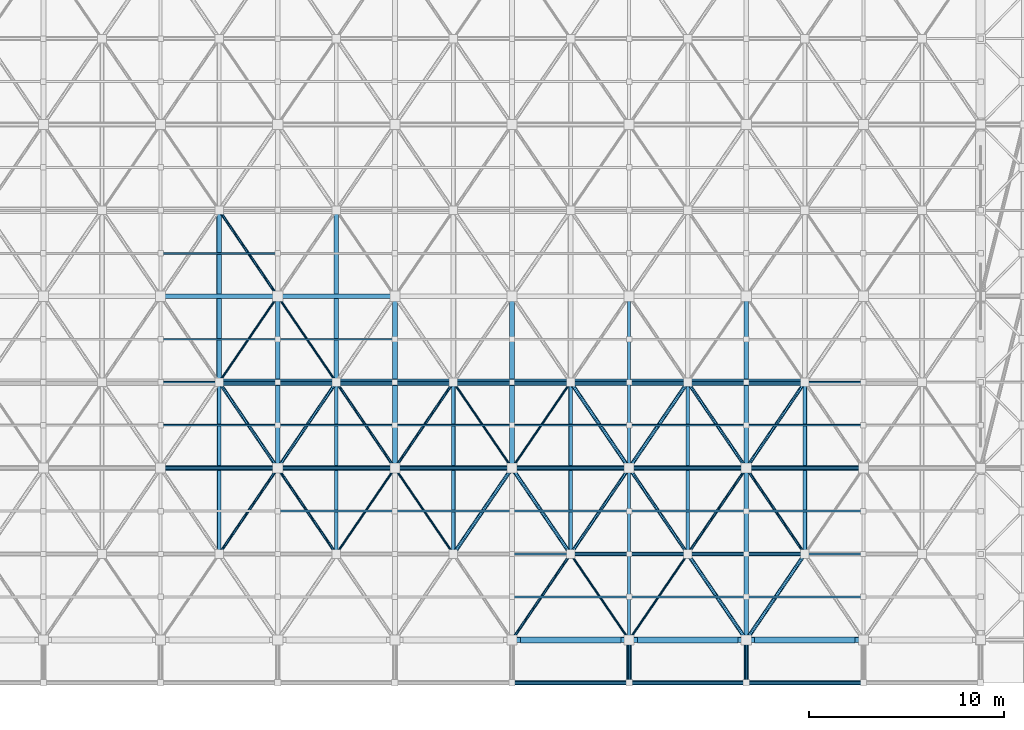
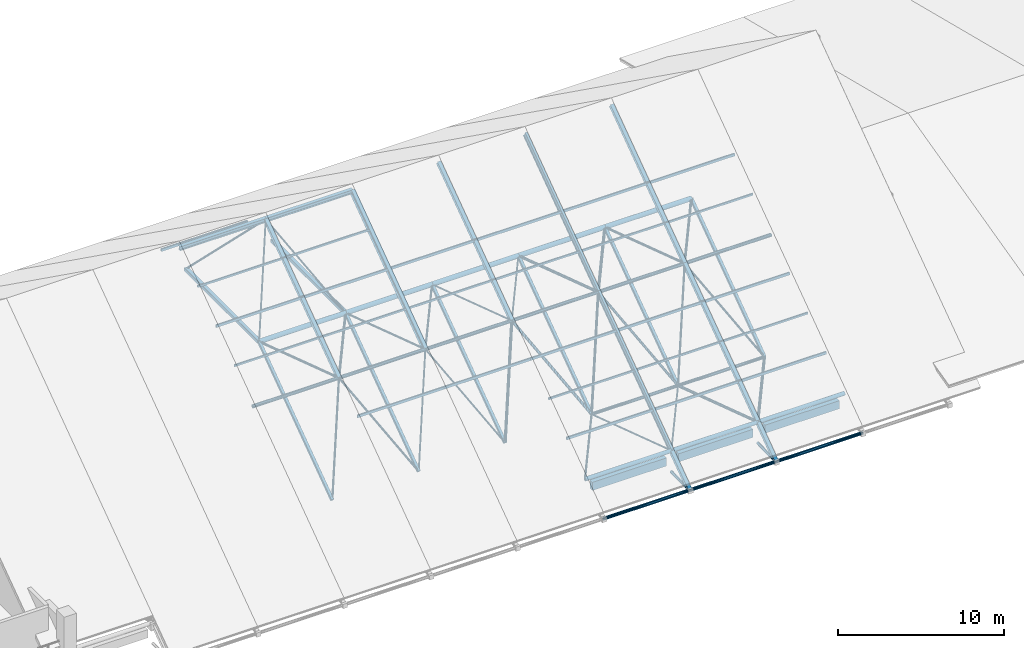
# One storey, part 21 of 55: 94 members, 3 beams.
"""IFC4 building model written with IfcOpenShell, lengths in metres."""

import ifcopenshell
import ifcopenshell.guid

model = None  # the IFC model being written
_history = None  # IfcOwnerHistory: only IFC2X3 demands one
_inside = {}  # id of a spatial element -> (the spatial element, [elements in it])
_under = {}  # id of a project, library or spatial element -> (it, [spatial elements below it])
_declared = {}  # id of a project -> (the project, [libraries it declares])
_typed = {}  # id of a type object -> (the type object, [elements of that type])
_made_of = {}  # id of a material, layer set ... -> (it, [elements and type objects made of it])


def new_model(schema):
    """Start an empty IFC model of exactly this schema.

    Asked for "IFC4X3", IfcOpenShell would pick the latest addendum, in which some entities
    have other attributes; the version numbers below select the first issue.
    IFC2X3 requires an IfcOwnerHistory on every rooted entity: one is made here for all.
    """
    global model, _history
    if schema == "IFC4X3":
        model = ifcopenshell.file(schema_version=(4, 3, 0, 0))
    else:
        model = ifcopenshell.file(schema=schema)
    _inside.clear()
    _under.clear()
    _declared.clear()
    _typed.clear()
    _made_of.clear()
    _history = None
    if model.schema == "IFC2X3":
        org = make("IfcOrganization", Name="unknown")
        user = make(
            "IfcPersonAndOrganization",
            ThePerson=make("IfcPerson", FamilyName="unknown"),
            TheOrganization=org,
        )
        app = make(
            "IfcApplication",
            ApplicationDeveloper=org,
            Version="unknown",
            ApplicationFullName="unknown",
            ApplicationIdentifier="unknown",
        )
        _history = make(
            "IfcOwnerHistory",
            OwningUser=user,
            OwningApplication=app,
            ChangeAction="ADDED",
            CreationDate=0,
        )
    return model


def make(cls, **values):
    """One entity of the class cls with the attributes given. An attribute that is None is left unset."""
    return model.create_entity(
        cls, **{name: value for name, value in values.items() if value is not None}
    )


def rooted(cls, **values):
    """An entity with a GlobalId (a new one), such as an element, a storey or a relation."""
    return make(cls, GlobalId=ifcopenshell.guid.new(), OwnerHistory=_history, **values)


def si_unit(unit_type, name, prefix=None):
    """IfcSIUnit, for example si_unit("LENGTHUNIT", "METRE", prefix="MILLI")."""
    return make("IfcSIUnit", UnitType=unit_type, Prefix=prefix, Name=name)


def assignment(units):
    """IfcUnitAssignment: the units of a project."""
    return None if units is None else make("IfcUnitAssignment", Units=units)


def point(xyz):
    """IfcCartesianPoint."""
    return None if xyz is None else make("IfcCartesianPoint", Coordinates=xyz)


def direction(xyz):
    """IfcDirection."""
    return None if xyz is None else make("IfcDirection", DirectionRatios=xyz)


def frame(location, z_axis=None, x_axis=None):
    """IfcAxis2Placement3D, a coordinate frame: its origin and axes. An axis left out is left unset."""
    return make(
        "IfcAxis2Placement3D",
        Location=point(location),
        Axis=direction(z_axis),
        RefDirection=direction(x_axis),
    )


def frame_2d(location, x_axis=None):
    """IfcAxis2Placement2D, a coordinate frame in the plane: its origin and x axis."""
    return make(
        "IfcAxis2Placement2D", Location=point(location), RefDirection=direction(x_axis)
    )


def origin():
    """The frame at (0, 0, 0) with its axes left unset."""
    return frame((0.0, 0.0, 0.0))


def origin_2d():
    """The frame at (0, 0) in the plane with its x axis left unset."""
    return frame_2d((0.0, 0.0))


def place(relative_to, where):
    """IfcLocalPlacement: puts the frame where relative to a parent placement (None: the world)."""
    return make(
        "IfcLocalPlacement", PlacementRelTo=relative_to, RelativePlacement=where
    )


def context(
    kind, dimensions, precision=None, world=None, true_north=None, identifier=None
):
    """IfcGeometricRepresentationContext, for example the 3D "Model" context."""
    return make(
        "IfcGeometricRepresentationContext",
        ContextIdentifier=identifier,
        ContextType=kind,
        CoordinateSpaceDimension=dimensions,
        Precision=precision,
        WorldCoordinateSystem=world,
        TrueNorth=true_north,
    )


def subcontext(parent, identifier, kind, view, scale=None):
    """IfcGeometricRepresentationSubContext, for example "Body" below "Model"."""
    return make(
        "IfcGeometricRepresentationSubContext",
        ContextIdentifier=identifier,
        ContextType=kind,
        ParentContext=parent,
        TargetScale=scale,
        TargetView=view,
    )


def project(units=None, contexts=None):
    """IfcProject with its units and contexts."""
    return rooted(
        "IfcProject",
        Name="project",
        RepresentationContexts=contexts,
        UnitsInContext=assignment(units),
    )


def spatial(cls, under=None, at=None, **own):
    """A site, building, storey or space (cls), placed at a placement, below another one or the project."""
    s = rooted(cls, ObjectPlacement=at, **own)
    if under is not None:
        _under.setdefault(under.id(), (under, []))[1].append(s)
    return s


def profile(cls, at=None, kind="AREA", **sizes):
    """A parametric profile (cls). Its sizes go by their IFC names, for example OverallWidth=200.0."""
    return make(cls, ProfileType=kind, Position=at, **sizes)


def rectangle(**sizes):
    """IfcRectangleProfileDef."""
    return profile("IfcRectangleProfileDef", **sizes)


def hollow_rectangle(**sizes):
    """IfcRectangleHollowProfileDef."""
    return profile("IfcRectangleHollowProfileDef", **sizes)


def hollow_circle(**sizes):
    """IfcCircleHollowProfileDef."""
    return profile("IfcCircleHollowProfileDef", **sizes)


def i_section(**sizes):
    """IfcIShapeProfileDef."""
    return profile("IfcIShapeProfileDef", **sizes)


def extrude(swept, where, along, depth):
    """IfcExtrudedAreaSolid: the profile swept, set in the frame where, extruded along a direction by depth."""
    return make(
        "IfcExtrudedAreaSolid",
        SweptArea=swept,
        Position=where,
        ExtrudedDirection=direction(along),
        Depth=depth,
    )


def shape(context_of_items, identifier, shape_type, items):
    """IfcShapeRepresentation: the items that make up one representation, for example the "Body"."""
    return make(
        "IfcShapeRepresentation",
        ContextOfItems=context_of_items,
        RepresentationIdentifier=identifier,
        RepresentationType=shape_type,
        Items=items,
    )


def material(Name=None, Category=None):
    """IfcMaterial."""
    return make("IfcMaterial", Name=Name, Category=Category)


def material_profile(
    of_material, cross_section, Name=None, Category=None, Priority=None
):
    """IfcMaterialProfile: a cross section and its material."""
    return make(
        "IfcMaterialProfile",
        Name=Name,
        Material=of_material,
        Profile=cross_section,
        Priority=Priority,
        Category=Category,
    )


def profile_set(profiles, Name=None, composite=None):
    """IfcMaterialProfileSet."""
    return make(
        "IfcMaterialProfileSet",
        Name=Name,
        MaterialProfiles=profiles,
        CompositeProfile=composite,
    )


def made_of(thing, what):
    """Note that an element or type object is made of a material, layer set ...; save() writes the relation."""
    if what is not None:
        _made_of.setdefault(what.id(), (what, []))[1].append(thing)
    return thing


def type_object(cls, material=None, **own):
    """A type object (cls), such as IfcWallType, which elements share."""
    return made_of(rooted(cls, **own), material)


def element(
    cls,
    number,
    at=None,
    inside=None,
    cuts=None,
    type_object=None,
    material=None,
    context=None,
    identifier="Body",
    shape_type=None,
    held_by="IfcProductDefinitionShape",
    body=None,
    shapes=None,
    **own,
):
    """One element of the class cls, such as IfcWall. Its Tag is "e" and its number.

    at: its placement. inside: the storey or other place that contains it. cuts: it is an
    opening in that element (IfcRelVoidsElement). A single representation is given by context,
    identifier, shape_type and body (its items); several are given by shapes. held_by: the class
    of the entity that holds the representations. save() writes the other relations.
    """
    e = rooted(cls, Tag="e%d" % number, ObjectPlacement=at, **own)
    if body is not None:
        shapes = [shape(context, identifier, shape_type, body)]
    if shapes is not None:
        e.Representation = make(held_by, Representations=shapes)
    if inside is not None:
        _inside.setdefault(inside.id(), (inside, []))[1].append(e)
    if cuts is not None:
        rooted(
            "IfcRelVoidsElement", RelatingBuildingElement=cuts, RelatedOpeningElement=e
        )
    if type_object is not None:
        _typed.setdefault(type_object.id(), (type_object, []))[1].append(e)
    return made_of(e, material)


def aggregate(whole, parts):
    """IfcRelAggregates: a whole, such as a stair, and the parts it consists of."""
    return rooted("IfcRelAggregates", RelatingObject=whole, RelatedObjects=parts)


def save(model, path):
    """Write the relations noted so far, then the file.

    IfcRelAggregates (storeys below a building ...), IfcRelContainedInSpatialStructure (elements
    in a storey), IfcRelDefinesByType, IfcRelAssociatesMaterial and IfcRelDeclares: one each for
    every whole, place, type object, material and project.
    """
    for whole, parts in _under.values():
        aggregate(whole, parts)
    for where, things in _inside.values():
        rooted(
            "IfcRelContainedInSpatialStructure",
            RelatedElements=things,
            RelatingStructure=where,
        )
    for kind, things in _typed.values():
        rooted("IfcRelDefinesByType", RelatedObjects=things, RelatingType=kind)
    for what, things in _made_of.values():
        rooted("IfcRelAssociatesMaterial", RelatedObjects=things, RelatingMaterial=what)
    for by, libraries in _declared.values():
        rooted("IfcRelDeclares", RelatingContext=by, RelatedDefinitions=libraries)
    model.write(path)


model = new_model("IFC4")

# Units and contexts
model_context = context("Model", 3, precision=1e-05, world=origin(), true_north=direction((0.0, 1.0)))
body_context = subcontext(model_context, "Body", "Model", "MODEL_VIEW")
ifc_project = project(units=[si_unit("LENGTHUNIT", "METRE"), si_unit("AREAUNIT", "SQUARE_METRE"), si_unit("VOLUMEUNIT", "CUBIC_METRE"), si_unit("PLANEANGLEUNIT", "RADIAN"), si_unit("MASSUNIT", "GRAM", prefix="KILO")], contexts=[model_context])

# Site, building, storey
site_placement = place(None, origin())
site = spatial("IfcSite", under=ifc_project, at=site_placement, CompositionType="ELEMENT")
building_placement = place(site_placement, origin())
building = spatial("IfcBuilding", under=site, at=building_placement, Name="Varnakota Cinema and Media Centre", CompositionType="ELEMENT")
storey_placement = place(building_placement, frame((0.0, 0.0, 15.60009765625)))
storey = spatial("IfcBuildingStorey", under=building, at=storey_placement, Name="L04", CompositionType="ELEMENT", Elevation=15.60009765625)

# Beams
ifc_material_1 = material(Name="Concrete M35", Category="concrete")
ifc_material_profile_1 = material_profile(ifc_material_1, rectangle(XDim=0.300048828125, YDim=0.60009765625, at=origin_2d()), Name="RCB 300x600")
ifc_profile_set_1 = profile_set([ifc_material_profile_1], Name="Concrete M35")
beam_type = type_object("IfcBeamType", Name="BM-SP-300x600", PredefinedType="SPANDREL", material=ifc_profile_set_1)
for number, where, z_axis, x_axis, name in (
    (1, (111.425048828125, 0.0, -0.300048828125), (1.0, 0.0, 0.0), (0.0, 1.0, 0.0), "L04 girder R-S/1"),
    (2, (117.425048828125, 0.0, -0.300048828125), (1.0, 0.0, 0.0), (0.0, 1.0, 0.0), "L04 girder S-T/1"),
    (3, (123.425048828125, 0.0, -0.300048828125), (1.0, 0.0, 0.0), (0.0, 1.0, 0.0), "L04 girder T-U/1"),
):
    element("IfcBeam", number, at=place(storey_placement, frame(where, z_axis=z_axis, x_axis=x_axis)), inside=storey, type_object=beam_type, Name=name, PredefinedType="SPANDREL", context=body_context, shape_type="SweptSolid", body=[
        extrude(rectangle(XDim=0.300048828125, YDim=0.60009765625, at=origin_2d()), origin(), (0.0, 0.0, 1.0), 5.14990234375),
    ])

# Members
ifc_material_2 = material(Name="Structural steel S355 (YSt 355)", Category="steel")
ifc_material_profile_2 = material_profile(ifc_material_2, hollow_circle(Radius=0.05712890625, WallThickness=0.00537109375, at=origin_2d()), Name="CHS 114.3x5.4")
ifc_profile_set_2 = profile_set([ifc_material_profile_2], Name="Structural steel S355 (YSt 355)")
member_type_1 = type_object("IfcMemberType", Name="MEM-ST-CHS114_3x5_4", PredefinedType="BRACE", material=ifc_profile_set_2)
for number, where, z_axis, x_axis, name in (
    (4, (96.0, 13.199951171875, 7.64990234375), (0.40116493033, 0.588394819283, 0.702038628078), (-0.826236071711, 0.563324022037, 0.0), "V1 space-frame diagonal 4.2.4"),
    (5, (102.0, 4.39990234375, 1.349853515625), (0.40116493033, 0.588394819283, 0.702038628078), (-0.826236071711, 0.563324022037, 0.0), "V1 space-frame diagonal 5.1.4"),
    (6, (102.0, 13.199951171875, 7.64990234375), (-0.40116493033, 0.588394819283, 0.702038628078), (-0.826236071711, -0.563324022037, 0.0), "V1 space-frame diagonal 5.2.3"),
    (7, (108.0, 4.39990234375, 1.349853515625), (-0.40116493033, 0.588394819283, 0.702038628078), (-0.826236071711, -0.563324022037, 0.0), "V1 space-frame diagonal 6.1.3"),
):
    element("IfcMember", number, at=place(storey_placement, frame(where, z_axis=z_axis, x_axis=x_axis)), inside=storey, type_object=member_type_1, Name=name, PredefinedType="BRACE", context=body_context, shape_type="SweptSolid", body=[
        extrude(hollow_circle(Radius=0.05712890625, WallThickness=0.00537109375, at=origin_2d()), origin(), (0.0, 0.0, 1.0), 7.478271484375),
    ])
for number, where, z_axis, x_axis, name in (
    (8, (108.0, 13.199951171875, 7.64990234375), (0.552703271274, -0.810613472892, -0.193455140767), (0.826221523208, 0.563345359959, 0.0), "V1 space-frame diagonal 6.2.2"),
    (9, (114.0, 4.39990234375, 1.349853515625), (0.552703271274, -0.810613472892, -0.193455140767), (0.826221523208, 0.563345359959, 0.0), "V1 space-frame diagonal 7.1.2"),
    (10, (114.0, 13.199951171875, 7.64990234375), (-0.552703271274, -0.810613472892, -0.193455140767), (0.826221523208, -0.563345359959, 0.0), "V1 space-frame diagonal 7.2.1"),
    (11, (120.0, 4.39990234375, 1.349853515625), (-0.552703271274, -0.810613472892, -0.193455140767), (0.826221523208, -0.563345359959, 0.0), "V1 space-frame diagonal 8.1.1"),
):
    element("IfcMember", number, at=place(storey_placement, frame(where, z_axis=z_axis, x_axis=x_axis)), inside=storey, type_object=member_type_1, Name=name, PredefinedType="BRACE", context=body_context, shape_type="SweptSolid", body=[
        extrude(hollow_circle(Radius=0.05712890625, WallThickness=0.00537109375, at=origin_2d()), origin(), (0.0, 0.0, 1.0), 5.427978515625),
    ])
ifc_material_3 = material(Name="Structural steel S355 (YSt 355)", Category="steel")
ifc_material_profile_3 = material_profile(ifc_material_3, hollow_circle(Radius=0.06982421875, WallThickness=0.006103515625, at=origin_2d()), Name="CHS 139.7x6.0")
ifc_profile_set_3 = profile_set([ifc_material_profile_3], Name="Structural steel S355 (YSt 355)")
member_type_2 = type_object("IfcMemberType", Name="MEM-ST-CHS139_7x6_0", PredefinedType="CHORD", material=ifc_profile_set_3)
member_1_placement = place(storey_placement, frame((96.0, 4.39990234375, 1.349853515625), z_axis=(0.40116493033, 0.588394819283, 0.702038628078), x_axis=(-0.826236071711, 0.563324022037, 0.0)))
element("IfcMember", 12, at=member_1_placement, inside=storey, type_object=member_type_2, Name="V1 space-frame diagonal 4.1.4", PredefinedType="CHORD", context=body_context, shape_type="SweptSolid", body=[
    extrude(hollow_circle(Radius=0.06982421875, WallThickness=0.006103515625, at=origin_2d()), origin(), (0.0, 0.0, 1.0), 7.478271484375),
])
member_2_placement = place(storey_placement, frame((96.0, 22.0, 7.64990234375), z_axis=(0.40117263642, -0.58837347441, 0.702052113734), x_axis=(0.826221523208, 0.563345359959, 0.0)))
element("IfcMember", 13, at=member_2_placement, inside=storey, type_object=member_type_2, Name="V1 space-frame diagonal 4.3.2", PredefinedType="CHORD", context=body_context, shape_type="SweptSolid", body=[
    extrude(hollow_circle(Radius=0.06982421875, WallThickness=0.006103515625, at=origin_2d()), origin(), (0.0, 0.0, 1.0), 7.47802734375),
])
member_3_placement = place(storey_placement, frame((102.0, 4.39990234375, 1.349853515625), z_axis=(-0.40116493033, 0.588394819283, 0.702038628078), x_axis=(-0.826236071711, -0.563324022037, 0.0)))
element("IfcMember", 14, at=member_3_placement, inside=storey, type_object=member_type_2, Name="V1 space-frame diagonal 5.1.3", PredefinedType="CHORD", context=body_context, shape_type="SweptSolid", body=[
    extrude(hollow_circle(Radius=0.06982421875, WallThickness=0.006103515625, at=origin_2d()), origin(), (0.0, 0.0, 1.0), 7.478271484375),
])
for number, where, z_axis, x_axis, name in (
    (15, (102.0, 13.199951171875, 7.64990234375), (0.552703271274, -0.810613472892, -0.193455140767), (0.826221523208, 0.563345359959, 0.0), "V1 space-frame diagonal 5.2.2"),
    (16, (108.0, 13.199951171875, 7.64990234375), (-0.552703271274, -0.810613472892, -0.193455140767), (0.826221523208, -0.563345359959, 0.0), "V1 space-frame diagonal 6.2.1"),
    (17, (114.0, 4.39990234375, 1.349853515625), (-0.552703271274, -0.810613472892, -0.193455140767), (0.826221523208, -0.563345359959, 0.0), "V1 space-frame diagonal 7.1.1"),
):
    element("IfcMember", number, at=place(storey_placement, frame(where, z_axis=z_axis, x_axis=x_axis)), inside=storey, type_object=member_type_2, Name=name, PredefinedType="CHORD", context=body_context, shape_type="SweptSolid", body=[
        extrude(hollow_circle(Radius=0.06982421875, WallThickness=0.006103515625, at=origin_2d()), origin(), (0.0, 0.0, 1.0), 5.427978515625),
    ])
for number, where, z_axis, x_axis, name in (
    (18, (120.0, 4.39990234375, 1.349853515625), (0.40116493033, 0.588394819283, 0.702038628078), (-0.826236071711, 0.563324022037, 0.0), "V1 space-frame diagonal 8.1.4"),
    (19, (126.0, 4.39990234375, 1.349853515625), (-0.40116493033, 0.588394819283, 0.702038628078), (-0.826236071711, -0.563324022037, 0.0), "V1 space-frame diagonal 9.1.3"),
):
    element("IfcMember", number, at=place(storey_placement, frame(where, z_axis=z_axis, x_axis=x_axis)), inside=storey, type_object=member_type_2, Name=name, PredefinedType="CHORD", context=body_context, shape_type="SweptSolid", body=[
        extrude(hollow_circle(Radius=0.06982421875, WallThickness=0.006103515625, at=origin_2d()), origin(), (0.0, 0.0, 1.0), 7.478271484375),
    ])
ifc_material_4 = material(Name="Structural steel S355 (YSt 355)", Category="steel")
ifc_material_profile_4 = material_profile(ifc_material_4, hollow_circle(Radius=0.084228515625, WallThickness=0.00634765625, at=origin_2d()), Name="CHS 168.3x6.3")
ifc_profile_set_4 = profile_set([ifc_material_profile_4], Name="Structural steel S355 (YSt 355)")
member_type_3 = type_object("IfcMemberType", Name="MEM-ST-CHS168_3x6_3", PredefinedType="BRACE", material=ifc_profile_set_4)
for number, where, z_axis, x_axis, name in (
    (20, (96.0, 13.199951171875, 7.64990234375), (0.552703271274, -0.810613472892, -0.193455140767), (0.826221523208, 0.563345359959, 0.0), "V1 space-frame diagonal 4.2.2"),
    (21, (102.0, 13.199951171875, 7.64990234375), (-0.552703271274, -0.810613472892, -0.193455140767), (0.826221523208, -0.563345359959, 0.0), "V1 space-frame diagonal 5.2.1"),
):
    element("IfcMember", number, at=place(storey_placement, frame(where, z_axis=z_axis, x_axis=x_axis)), inside=storey, type_object=member_type_3, Name=name, PredefinedType="BRACE", context=body_context, shape_type="SweptSolid", body=[
        extrude(hollow_circle(Radius=0.084228515625, WallThickness=0.00634765625, at=origin_2d()), origin(), (0.0, 0.0, 1.0), 5.427978515625),
    ])
for number, where, z_axis, x_axis, name in (
    (22, (114.0, 4.39990234375, 1.349853515625), (0.40116493033, 0.588394819283, 0.702038628078), (-0.826236071711, 0.563324022037, 0.0), "V1 space-frame diagonal 7.1.4"),
    (23, (120.0, 4.39990234375, 1.349853515625), (-0.40116493033, 0.588394819283, 0.702038628078), (-0.826236071711, -0.563324022037, 0.0), "V1 space-frame diagonal 8.1.3"),
):
    element("IfcMember", number, at=place(storey_placement, frame(where, z_axis=z_axis, x_axis=x_axis)), inside=storey, type_object=member_type_3, Name=name, PredefinedType="BRACE", context=body_context, shape_type="SweptSolid", body=[
        extrude(hollow_circle(Radius=0.084228515625, WallThickness=0.00634765625, at=origin_2d()), origin(), (0.0, 0.0, 1.0), 7.478271484375),
    ])
for number, where, z_axis, x_axis, name in (
    (24, (120.0, 13.199951171875, 7.64990234375), (0.552703271274, -0.810613472892, -0.193455140767), (0.826221523208, 0.563345359959, 0.0), "V1 space-frame diagonal 8.2.2"),
    (25, (126.0, 13.199951171875, 7.64990234375), (-0.552703271274, -0.810613472892, -0.193455140767), (0.826221523208, -0.563345359959, 0.0), "V1 space-frame diagonal 9.2.1"),
):
    element("IfcMember", number, at=place(storey_placement, frame(where, z_axis=z_axis, x_axis=x_axis)), inside=storey, type_object=member_type_3, Name=name, PredefinedType="BRACE", context=body_context, shape_type="SweptSolid", body=[
        extrude(hollow_circle(Radius=0.084228515625, WallThickness=0.00634765625, at=origin_2d()), origin(), (0.0, 0.0, 1.0), 5.427978515625),
    ])
ifc_material_5 = material(Name="Structural steel S355 (YSt 355)", Category="steel")
ifc_material_profile_5 = material_profile(ifc_material_5, hollow_circle(Radius=0.096923828125, WallThickness=0.00634765625, at=origin_2d()), Name="CHS 193.7x6.3")
ifc_profile_set_5 = profile_set([ifc_material_profile_5], Name="Structural steel S355 (YSt 355)")
member_type_4 = type_object("IfcMemberType", Name="MEM-ST-CHS193_7x6_3", PredefinedType="CHORD", material=ifc_profile_set_5)
for number, where, z_axis, x_axis, name in (
    (26, (108.0, 4.39990234375, 1.349853515625), (0.40116493033, 0.588394819283, 0.702038628078), (-0.826236071711, 0.563324022037, 0.0), "V1 space-frame diagonal 6.1.4"),
    (27, (114.0, 4.39990234375, 1.349853515625), (-0.40116493033, 0.588394819283, 0.702038628078), (-0.826236071711, -0.563324022037, 0.0), "V1 space-frame diagonal 7.1.3"),
):
    element("IfcMember", number, at=place(storey_placement, frame(where, z_axis=z_axis, x_axis=x_axis)), inside=storey, type_object=member_type_4, Name=name, PredefinedType="CHORD", context=body_context, shape_type="SweptSolid", body=[
        extrude(hollow_circle(Radius=0.096923828125, WallThickness=0.00634765625, at=origin_2d()), origin(), (0.0, 0.0, 1.0), 7.478271484375),
    ])
for number, where, z_axis, x_axis, name in (
    (28, (114.0, 13.199951171875, 7.64990234375), (0.552703271274, -0.810613472892, -0.193455140767), (0.826221523208, 0.563345359959, 0.0), "V1 space-frame diagonal 7.2.2"),
    (29, (120.0, 4.39990234375, 1.349853515625), (0.552703271274, -0.810613472892, -0.193455140767), (0.826221523208, 0.563345359959, 0.0), "V1 space-frame diagonal 8.1.2"),
    (30, (120.0, 13.199951171875, 7.64990234375), (-0.552703271274, -0.810613472892, -0.193455140767), (0.826221523208, -0.563345359959, 0.0), "V1 space-frame diagonal 8.2.1"),
    (31, (126.0, 4.39990234375, 1.349853515625), (-0.552703271274, -0.810613472892, -0.193455140767), (0.826221523208, -0.563345359959, 0.0), "V1 space-frame diagonal 9.1.1"),
):
    element("IfcMember", number, at=place(storey_placement, frame(where, z_axis=z_axis, x_axis=x_axis)), inside=storey, type_object=member_type_4, Name=name, PredefinedType="CHORD", context=body_context, shape_type="SweptSolid", body=[
        extrude(hollow_circle(Radius=0.096923828125, WallThickness=0.00634765625, at=origin_2d()), origin(), (0.0, 0.0, 1.0), 5.427978515625),
    ])
for number, where, z_axis, x_axis, name in (
    (32, (117.0, 0.0, -1.25), (0.0, -0.999934678535, -0.01142972721), (1.0, 0.0, 0.0), "V1 space-frame S eave raking strut 8"),
    (33, (123.0, 0.0, -1.25), (0.0, -0.999934678535, -0.01142972721), (1.0, 0.0, 0.0), "V1 space-frame S eave raking strut 9"),
):
    element("IfcMember", number, at=place(storey_placement, frame(where, z_axis=z_axis, x_axis=x_axis)), inside=storey, type_object=member_type_4, Name=name, PredefinedType="CHORD", context=body_context, shape_type="SweptSolid", body=[
        extrude(hollow_circle(Radius=0.096923828125, WallThickness=0.00634765625, at=origin_2d()), origin(), (0.0, 0.0, 1.0), 2.2001953125),
    ])
ifc_material_6 = material(Name="Structural steel S355 (YSt 355)", Category="steel")
ifc_material_profile_6 = material_profile(ifc_material_6, hollow_circle(Radius=0.109619140625, WallThickness=0.008056640625, at=origin_2d()), Name="CHS 219.1x8.0")
ifc_profile_set_6 = profile_set([ifc_material_profile_6], Name="Structural steel S355 (YSt 355)")
member_type_5 = type_object("IfcMemberType", Name="MEM-ST-CHS219_1x8_0", PredefinedType="BRACE", material=ifc_profile_set_6)
for number, where, z_axis, x_axis, name in (
    (34, (114.0, 4.39990234375, 1.349853515625), (1.0, 0.0, 0.0), (0.0, 1.0, 0.0), "V1 bottom longitudinal chord 7.1"),
    (35, (120.0, 4.39990234375, 1.349853515625), (1.0, 0.0, 0.0), (0.0, 1.0, 0.0), "V1 bottom longitudinal chord 8.1"),
    (36, (111.0, -2.199951171875, -1.275146484375), (1.0, 0.0, 0.0), (0.0, 1.0, 0.0), "V1 S eave fascia chord 7"),
    (37, (117.0, -2.199951171875, -1.275146484375), (1.0, 0.0, 0.0), (0.0, 1.0, 0.0), "V1 S eave fascia chord 8"),
    (38, (123.0, -2.199951171875, -1.275146484375), (1.0, 0.0, 0.0), (0.0, 1.0, 0.0), "V1 S eave fascia chord 9"),
):
    element("IfcMember", number, at=place(storey_placement, frame(where, z_axis=z_axis, x_axis=x_axis)), inside=storey, type_object=member_type_5, Name=name, PredefinedType="BRACE", context=body_context, shape_type="SweptSolid", body=[
        extrude(hollow_circle(Radius=0.109619140625, WallThickness=0.008056640625, at=origin_2d()), origin(), (0.0, 0.0, 1.0), 6.0),
    ])
ifc_material_7 = material(Name="Structural steel S355 (YSt 355)", Category="steel")
ifc_material_profile_7 = material_profile(ifc_material_7, hollow_circle(Radius=0.122314453125, WallThickness=0.008056640625, at=origin_2d()), Name="CHS 244.5x8.0")
ifc_profile_set_7 = profile_set([ifc_material_profile_7], Name="Structural steel S355 (YSt 355)")
member_type_6 = type_object("IfcMemberType", Name="MEM-ST-CHS244_5x8_0", PredefinedType="CHORD", material=ifc_profile_set_7)
for number, where, z_axis, x_axis, name in (
    (39, (93.0, 8.800048828125, 6.599853515625), (1.0, 0.0, 0.0), (0.0, 1.0, 0.0), "V1 top longitudinal chord 4.2"),
    (40, (99.0, 8.800048828125, 6.599853515625), (1.0, 0.0, 0.0), (0.0, 1.0, 0.0), "V1 top longitudinal chord 5.2"),
    (41, (105.0, 8.800048828125, 6.599853515625), (1.0, 0.0, 0.0), (0.0, 1.0, 0.0), "V1 top longitudinal chord 6.2"),
    (42, (111.0, 8.800048828125, 6.599853515625), (1.0, 0.0, 0.0), (0.0, 1.0, 0.0), "V1 top longitudinal chord 7.2"),
    (43, (117.0, 8.800048828125, 6.599853515625), (1.0, 0.0, 0.0), (0.0, 1.0, 0.0), "V1 top longitudinal chord 8.2"),
    (44, (123.0, 8.800048828125, 6.599853515625), (1.0, 0.0, 0.0), (0.0, 1.0, 0.0), "V1 top longitudinal chord 9.2"),
):
    element("IfcMember", number, at=place(storey_placement, frame(where, z_axis=z_axis, x_axis=x_axis)), inside=storey, type_object=member_type_6, Name=name, PredefinedType="CHORD", context=body_context, shape_type="SweptSolid", body=[
        extrude(hollow_circle(Radius=0.122314453125, WallThickness=0.008056640625, at=origin_2d()), origin(), (0.0, 0.0, 1.0), 6.0),
    ])
ifc_material_8 = material(Name="Structural steel S355 (YSt 355)", Category="steel")
ifc_material_profile_8 = material_profile(ifc_material_8, hollow_circle(Radius=0.136474609375, WallThickness=0.010009765625, at=origin_2d()), Name="CHS 273.0x10.0")
ifc_profile_set_8 = profile_set([ifc_material_profile_8], Name="Structural steel S355 (YSt 355)")
member_type_7 = type_object("IfcMemberType", Name="MEM-ST-CHS273_0x10_0", PredefinedType="BRACE", material=ifc_profile_set_8)
for number, where, z_axis, x_axis, name in (
    (45, (111.0, 0.0, 0.2998046875), (1.0, 0.0, 0.0), (0.0, 1.0, 0.0), "V1 top longitudinal chord 7.1"),
    (46, (117.0, 0.0, 0.2998046875), (1.0, 0.0, 0.0), (0.0, 1.0, 0.0), "V1 top longitudinal chord 8.1"),
    (47, (123.0, 0.0, 0.2998046875), (1.0, 0.0, 0.0), (0.0, 1.0, 0.0), "V1 top longitudinal chord 9.1"),
):
    element("IfcMember", number, at=place(storey_placement, frame(where, z_axis=z_axis, x_axis=x_axis)), inside=storey, type_object=member_type_7, Name=name, PredefinedType="BRACE", context=body_context, shape_type="SweptSolid", body=[
        extrude(hollow_circle(Radius=0.136474609375, WallThickness=0.010009765625, at=origin_2d()), origin(), (0.0, 0.0, 1.0), 6.0),
    ])
ifc_material_9 = material(Name="Structural steel S355 (YSt 355)", Category="steel")
ifc_material_profile_9 = material_profile(ifc_material_9, hollow_circle(Radius=0.161865234375, WallThickness=0.010009765625, at=origin_2d()), Name="CHS 323.9x10.0")
ifc_profile_set_9 = profile_set([ifc_material_profile_9], Name="Structural steel S355 (YSt 355)")
member_type_8 = type_object("IfcMemberType", Name="MEM-ST-CHS323_9x10_0", PredefinedType="CHORD", material=ifc_profile_set_9)
for number, where, z_axis, x_axis, name in (
    (48, (96.0, 13.199951171875, 7.64990234375), (1.0, 0.0, 0.0), (0.0, 1.0, 0.0), "V1 bottom longitudinal chord 4.2"),
    (49, (102.0, 13.199951171875, 7.64990234375), (1.0, 0.0, 0.0), (0.0, 1.0, 0.0), "V1 bottom longitudinal chord 5.2"),
    (50, (108.0, 13.199951171875, 7.64990234375), (1.0, 0.0, 0.0), (0.0, 1.0, 0.0), "V1 bottom longitudinal chord 6.2"),
    (51, (114.0, 13.199951171875, 7.64990234375), (1.0, 0.0, 0.0), (0.0, 1.0, 0.0), "V1 bottom longitudinal chord 7.2"),
    (52, (120.0, 13.199951171875, 7.64990234375), (1.0, 0.0, 0.0), (0.0, 1.0, 0.0), "V1 bottom longitudinal chord 8.2"),
):
    element("IfcMember", number, at=place(storey_placement, frame(where, z_axis=z_axis, x_axis=x_axis)), inside=storey, type_object=member_type_8, Name=name, PredefinedType="CHORD", context=body_context, shape_type="SweptSolid", body=[
        extrude(hollow_circle(Radius=0.161865234375, WallThickness=0.010009765625, at=origin_2d()), origin(), (0.0, 0.0, 1.0), 6.0),
    ])
ifc_material_10 = material(Name="Structural steel Grade 350 (E350)", Category="steel")
ifc_material_profile_10 = material_profile(ifc_material_10, i_section(OverallWidth=0.25, OverallDepth=0.25, WebThickness=0.0087890625, FlangeThickness=0.009765625, FilletRadius=0.010009765625, at=origin_2d()), Name="ISHB 250")
ifc_profile_set_10 = profile_set([ifc_material_profile_10], Name="Structural steel Grade 350 (E350)")
member_type_9 = type_object("IfcMemberType", Name="MEM-ST-ISHB250", PredefinedType="CHORD", material=ifc_profile_set_10)
for number, where, z_axis, x_axis, name in (
    (53, (99.0, 8.800048828125, 6.599853515625), (0.0, 0.813108079498, 0.582112747717), (-1.0, 0.0, 0.0), "V1 top transverse chord 5.2"),
    (54, (111.0, 8.800048828125, 6.599853515625), (0.0, 0.813108079498, 0.582112747717), (-1.0, 0.0, 0.0), "V1 top transverse chord 7.2"),
    (55, (123.0, 0.0, 0.2998046875), (0.0, 0.813108079498, 0.582112747717), (-1.0, 0.0, 0.0), "V1 top transverse chord 9.1"),
    (56, (123.0, 8.800048828125, 6.599853515625), (0.0, 0.813108079498, 0.582112747717), (-1.0, 0.0, 0.0), "V1 top transverse chord 9.2"),
):
    element("IfcMember", number, at=place(storey_placement, frame(where, z_axis=z_axis, x_axis=x_axis)), inside=storey, type_object=member_type_9, Name=name, PredefinedType="CHORD", context=body_context, shape_type="SweptSolid", body=[
        extrude(i_section(OverallWidth=0.25, OverallDepth=0.25, WebThickness=0.0087890625, FlangeThickness=0.009765625, FilletRadius=0.010009765625, at=origin_2d()), origin(), (0.0, 0.0, 1.0), 10.82275390625),
    ])
for number, where, z_axis, x_axis, name in (
    (57, (117.0, 0.0, 0.2998046875), (0.0, -0.81311111287, -0.582108510612), (1.0, 0.0, 0.0), "V1 space-frame S eave overhang rafter 8"),
    (58, (123.0, 0.0, 0.2998046875), (0.0, -0.81311111287, -0.582108510612), (1.0, 0.0, 0.0), "V1 space-frame S eave overhang rafter 9"),
):
    element("IfcMember", number, at=place(storey_placement, frame(where, z_axis=z_axis, x_axis=x_axis)), inside=storey, type_object=member_type_9, Name=name, PredefinedType="CHORD", context=body_context, shape_type="SweptSolid", body=[
        extrude(i_section(OverallWidth=0.25, OverallDepth=0.25, WebThickness=0.0087890625, FlangeThickness=0.009765625, FilletRadius=0.010009765625, at=origin_2d()), origin(), (0.0, 0.0, 1.0), 2.70556640625),
    ])
ifc_material_11 = material(Name="Structural steel Grade 350 (E350)", Category="steel")
ifc_material_profile_11 = material_profile(ifc_material_11, i_section(OverallWidth=0.25, OverallDepth=0.300048828125, WebThickness=0.009521484375, FlangeThickness=0.010498046875, FilletRadius=0.010986328125, at=origin_2d()), Name="ISHB 300")
ifc_profile_set_11 = profile_set([ifc_material_profile_11], Name="Structural steel Grade 350 (E350)")
member_type_10 = type_object("IfcMemberType", Name="MEM-ST-ISHB300", PredefinedType="CHORD", material=ifc_profile_set_11)
for number, where, z_axis, x_axis, name in (
    (59, (93.0, 17.60009765625, 12.89990234375), (1.0, 0.0, 0.0), (0.0, 1.0, 0.0), "V1 top longitudinal chord 4.3"),
    (60, (99.0, 17.60009765625, 12.89990234375), (1.0, 0.0, 0.0), (0.0, 1.0, 0.0), "V1 top longitudinal chord 5.3"),
):
    element("IfcMember", number, at=place(storey_placement, frame(where, z_axis=z_axis, x_axis=x_axis)), inside=storey, type_object=member_type_10, Name=name, PredefinedType="CHORD", context=body_context, shape_type="SweptSolid", body=[
        extrude(i_section(OverallWidth=0.25, OverallDepth=0.300048828125, WebThickness=0.009521484375, FlangeThickness=0.010498046875, FilletRadius=0.010986328125, at=origin_2d()), origin(), (0.0, 0.0, 1.0), 6.0),
    ])
ifc_material_12 = material(Name="Structural steel Grade 350 (E350)", Category="steel")
ifc_material_profile_12 = material_profile(ifc_material_12, i_section(OverallWidth=0.25, OverallDepth=0.39990234375, WebThickness=0.010498046875, FlangeThickness=0.0126953125, FilletRadius=0.011962890625, at=origin_2d()), Name="ISHB 400")
ifc_profile_set_12 = profile_set([ifc_material_profile_12], Name="Structural steel Grade 350 (E350)")
member_type_11 = type_object("IfcMemberType", Name="MEM-ST-ISHB400", PredefinedType="CHORD", material=ifc_profile_set_12)
member_4_placement = place(storey_placement, frame((105.0, 8.800048828125, 6.599853515625), z_axis=(0.0, 0.813108079498, 0.582112747717), x_axis=(-1.0, 0.0, 0.0)))
element("IfcMember", 61, at=member_4_placement, inside=storey, type_object=member_type_11, Name="V1 top transverse chord 6.2", PredefinedType="CHORD", context=body_context, shape_type="SweptSolid", body=[
    extrude(i_section(OverallWidth=0.25, OverallDepth=0.39990234375, WebThickness=0.010498046875, FlangeThickness=0.0126953125, FilletRadius=0.011962890625, at=origin_2d()), origin(), (0.0, 0.0, 1.0), 10.82275390625),
])
ifc_material_13 = material(Name="Structural steel Grade 350 (E350)", Category="steel")
ifc_material_profile_13 = material_profile(ifc_material_13, i_section(OverallWidth=0.14990234375, OverallDepth=0.449951171875, WebThickness=0.009521484375, FlangeThickness=0.017333984375, FilletRadius=0.014892578125, at=origin_2d()), Name="ISMB 450")
ifc_profile_set_13 = profile_set([ifc_material_profile_13], Name="Structural steel Grade 350 (E350)")
member_type_12 = type_object("IfcMemberType", Name="MEM-ST-ISMB450", PredefinedType="RAFTER", material=ifc_profile_set_13)
for number, where, z_axis, x_axis, name in (
    (62, (117.0, 0.0, 0.2998046875), (0.0, 0.813108079498, 0.582112747717), (-1.0, 0.0, 0.0), "V1 top transverse chord 8.1"),
    (63, (117.0, 8.800048828125, 6.599853515625), (0.0, 0.813108079498, 0.582112747717), (-1.0, 0.0, 0.0), "V1 top transverse chord 8.2"),
):
    element("IfcMember", number, at=place(storey_placement, frame(where, z_axis=z_axis, x_axis=x_axis)), inside=storey, type_object=member_type_12, Name=name, PredefinedType="RAFTER", context=body_context, shape_type="SweptSolid", body=[
        extrude(i_section(OverallWidth=0.14990234375, OverallDepth=0.449951171875, WebThickness=0.009521484375, FlangeThickness=0.017333984375, FilletRadius=0.014892578125, at=origin_2d()), origin(), (0.0, 0.0, 1.0), 10.82275390625),
    ])
ifc_material_14 = material(Name="Structural steel S355 (YSt 355)", Category="steel")
ifc_material_profile_14 = material_profile(ifc_material_14, hollow_rectangle(XDim=0.10009765625, YDim=0.14990234375, WallThickness=0.006103515625, InnerFilletRadius=0.006103515625, OuterFilletRadius=0.011962890625, at=origin_2d()), Name="RHS 150x100x6")
ifc_profile_set_14 = profile_set([ifc_material_profile_14], Name="Structural steel S355 (YSt 355)")
member_type_13 = type_object("IfcMemberType", Name="MEM-ST-RHS150x100x6", PredefinedType="PURLIN", material=ifc_profile_set_14)
for number, where, z_axis, x_axis, name in (
    (64, (111.0, 4.39990234375, 3.52978515625), (1.0, 0.0, 0.0), (0.0, 1.0, 0.0), "V1 roof purlin 2.7"),
    (65, (117.0, 4.39990234375, 3.52978515625), (1.0, 0.0, 0.0), (0.0, 1.0, 0.0), "V1 roof purlin 2.8"),
    (66, (123.0, 4.39990234375, 3.52978515625), (1.0, 0.0, 0.0), (0.0, 1.0, 0.0), "V1 roof purlin 2.9"),
    (67, (93.0, 11.0, 8.2548828125), (1.0, 0.0, 0.0), (0.0, 1.0, 0.0), "V1 roof purlin 4.4"),
    (68, (99.0, 11.0, 8.2548828125), (1.0, 0.0, 0.0), (0.0, 1.0, 0.0), "V1 roof purlin 4.5"),
    (69, (105.0, 11.0, 8.2548828125), (1.0, 0.0, 0.0), (0.0, 1.0, 0.0), "V1 roof purlin 4.6"),
    (70, (111.0, 11.0, 8.2548828125), (1.0, 0.0, 0.0), (0.0, 1.0, 0.0), "V1 roof purlin 4.7"),
    (71, (117.0, 11.0, 8.2548828125), (1.0, 0.0, 0.0), (0.0, 1.0, 0.0), "V1 roof purlin 4.8"),
    (72, (123.0, 11.0, 8.2548828125), (1.0, 0.0, 0.0), (0.0, 1.0, 0.0), "V1 roof purlin 4.9"),
    (73, (93.0, 15.39990234375, 11.40478515625), (1.0, 0.0, 0.0), (0.0, 1.0, 0.0), "V1 roof purlin 6.4"),
    (74, (99.0, 15.39990234375, 11.40478515625), (1.0, 0.0, 0.0), (0.0, 1.0, 0.0), "V1 roof purlin 6.5"),
):
    element("IfcMember", number, at=place(storey_placement, frame(where, z_axis=z_axis, x_axis=x_axis)), inside=storey, type_object=member_type_13, Name=name, PredefinedType="PURLIN", context=body_context, shape_type="SweptSolid", body=[
        extrude(hollow_rectangle(XDim=0.10009765625, YDim=0.14990234375, WallThickness=0.006103515625, InnerFilletRadius=0.006103515625, OuterFilletRadius=0.011962890625, at=origin_2d()), origin(), (0.0, 0.0, 1.0), 6.0),
    ])
ifc_material_15 = material(Name="Structural steel S355 (YSt 355)", Category="steel")
ifc_material_profile_15 = material_profile(ifc_material_15, hollow_rectangle(XDim=0.10009765625, YDim=0.199951171875, WallThickness=0.006103515625, InnerFilletRadius=0.006103515625, OuterFilletRadius=0.011962890625, at=origin_2d()), Name="RHS 200x100x6")
ifc_profile_set_15 = profile_set([ifc_material_profile_15], Name="Structural steel S355 (YSt 355)")
member_type_14 = type_object("IfcMemberType", Name="MEM-ST-RHS200x100x6", PredefinedType="PURLIN", material=ifc_profile_set_15)
for number, where, z_axis, x_axis, name in (
    (75, (111.0, 2.199951171875, 1.954833984375), (1.0, 0.0, 0.0), (0.0, 1.0, 0.0), "V1 roof purlin 1.7"),
    (76, (117.0, 2.199951171875, 1.954833984375), (1.0, 0.0, 0.0), (0.0, 1.0, 0.0), "V1 roof purlin 1.8"),
    (77, (123.0, 2.199951171875, 1.954833984375), (1.0, 0.0, 0.0), (0.0, 1.0, 0.0), "V1 roof purlin 1.9"),
    (78, (99.0, 6.60009765625, 5.10498046875), (1.0, 0.0, 0.0), (0.0, 1.0, 0.0), "V1 roof purlin 3.5"),
    (79, (105.0, 6.60009765625, 5.10498046875), (1.0, 0.0, 0.0), (0.0, 1.0, 0.0), "V1 roof purlin 3.6"),
    (80, (111.0, 6.60009765625, 5.10498046875), (1.0, 0.0, 0.0), (0.0, 1.0, 0.0), "V1 roof purlin 3.7"),
    (81, (117.0, 6.60009765625, 5.10498046875), (1.0, 0.0, 0.0), (0.0, 1.0, 0.0), "V1 roof purlin 3.8"),
    (82, (123.0, 6.60009765625, 5.10498046875), (1.0, 0.0, 0.0), (0.0, 1.0, 0.0), "V1 roof purlin 3.9"),
    (83, (93.0, 13.199951171875, 9.829833984375), (1.0, 0.0, 0.0), (0.0, 1.0, 0.0), "V1 roof purlin 5.4"),
    (84, (99.0, 13.199951171875, 9.829833984375), (1.0, 0.0, 0.0), (0.0, 1.0, 0.0), "V1 roof purlin 5.5"),
    (85, (105.0, 13.199951171875, 9.829833984375), (1.0, 0.0, 0.0), (0.0, 1.0, 0.0), "V1 roof purlin 5.6"),
    (86, (111.0, 13.199951171875, 9.829833984375), (1.0, 0.0, 0.0), (0.0, 1.0, 0.0), "V1 roof purlin 5.7"),
    (87, (117.0, 13.199951171875, 9.829833984375), (1.0, 0.0, 0.0), (0.0, 1.0, 0.0), "V1 roof purlin 5.8"),
    (88, (123.0, 13.199951171875, 9.829833984375), (1.0, 0.0, 0.0), (0.0, 1.0, 0.0), "V1 roof purlin 5.9"),
    (89, (93.0, 19.800048828125, 11.40478515625), (1.0, 0.0, 0.0), (0.0, 1.0, 0.0), "V1 roof purlin 7.4"),
):
    element("IfcMember", number, at=place(storey_placement, frame(where, z_axis=z_axis, x_axis=x_axis)), inside=storey, type_object=member_type_14, Name=name, PredefinedType="PURLIN", context=body_context, shape_type="SweptSolid", body=[
        extrude(hollow_rectangle(XDim=0.10009765625, YDim=0.199951171875, WallThickness=0.006103515625, InnerFilletRadius=0.006103515625, OuterFilletRadius=0.011962890625, at=origin_2d()), origin(), (0.0, 0.0, 1.0), 6.0),
    ])
ifc_material_16 = material(Name="Structural steel S355 (YSt 355)", Category="steel")
ifc_material_profile_16 = material_profile(ifc_material_16, hollow_rectangle(XDim=0.199951171875, YDim=0.199951171875, WallThickness=0.010009765625, InnerFilletRadius=0.010009765625, OuterFilletRadius=0.02001953125, at=origin_2d()), Name="SHS 200x200x10")
ifc_profile_set_16 = profile_set([ifc_material_profile_16], Name="Structural steel S355 (YSt 355)")
member_type_15 = type_object("IfcMemberType", Name="MEM-ST-SHS200x200x10", PredefinedType="STRUT", material=ifc_profile_set_16)
for number, where, z_axis, x_axis, name in (
    (90, (96.0, 4.39990234375, 1.349853515625), (0.0, 0.813108079498, 0.582112747717), (-1.0, 0.0, 0.0), "V1 bottom transverse chord 4.1"),
    (91, (102.0, 4.39990234375, 1.349853515625), (0.0, 0.813108079498, 0.582112747717), (-1.0, 0.0, 0.0), "V1 bottom transverse chord 5.1"),
    (92, (108.0, 4.39990234375, 1.349853515625), (0.0, 0.813108079498, 0.582112747717), (-1.0, 0.0, 0.0), "V1 bottom transverse chord 6.1"),
    (93, (114.0, 4.39990234375, 1.349853515625), (0.0, 0.813108079498, 0.582112747717), (-1.0, 0.0, 0.0), "V1 bottom transverse chord 7.1"),
    (94, (120.0, 4.39990234375, 1.349853515625), (0.0, 0.813108079498, 0.582112747717), (-1.0, 0.0, 0.0), "V1 bottom transverse chord 8.1"),
    (95, (126.0, 4.39990234375, 1.349853515625), (0.0, 0.813108079498, 0.582112747717), (-1.0, 0.0, 0.0), "V1 bottom transverse chord 9.1"),
):
    element("IfcMember", number, at=place(storey_placement, frame(where, z_axis=z_axis, x_axis=x_axis)), inside=storey, type_object=member_type_15, Name=name, PredefinedType="STRUT", context=body_context, shape_type="SweptSolid", body=[
        extrude(hollow_rectangle(XDim=0.199951171875, YDim=0.199951171875, WallThickness=0.010009765625, InnerFilletRadius=0.010009765625, OuterFilletRadius=0.02001953125, at=origin_2d()), origin(), (0.0, 0.0, 1.0), 10.82275390625),
    ])
ifc_material_17 = material(Name="Structural steel S355 (YSt 355)", Category="steel")
ifc_material_profile_17 = material_profile(ifc_material_17, hollow_rectangle(XDim=0.25, YDim=0.25, WallThickness=0.010009765625, InnerFilletRadius=0.010009765625, OuterFilletRadius=0.02001953125, at=origin_2d()), Name="SHS 250x250x10")
ifc_profile_set_17 = profile_set([ifc_material_profile_17], Name="Structural steel S355 (YSt 355)")
member_type_16 = type_object("IfcMemberType", Name="MEM-ST-SHS250x250x10", PredefinedType="STRUT", material=ifc_profile_set_17)
for number, where, z_axis, x_axis, name in (
    (96, (96.0, 13.199951171875, 7.64990234375), (0.0, 1.0, 0.0), (-1.0, 0.0, 0.0), "V1 bottom transverse chord 4.2"),
    (97, (102.0, 13.199951171875, 7.64990234375), (0.0, 1.0, 0.0), (-1.0, 0.0, 0.0), "V1 bottom transverse chord 5.2"),
):
    element("IfcMember", number, at=place(storey_placement, frame(where, z_axis=z_axis, x_axis=x_axis)), inside=storey, type_object=member_type_16, Name=name, PredefinedType="STRUT", context=body_context, shape_type="SweptSolid", body=[
        extrude(hollow_rectangle(XDim=0.25, YDim=0.25, WallThickness=0.010009765625, InnerFilletRadius=0.010009765625, OuterFilletRadius=0.02001953125, at=origin_2d()), origin(), (0.0, 0.0, 1.0), 8.800048828125),
    ])

save(model, "model.ifc")
